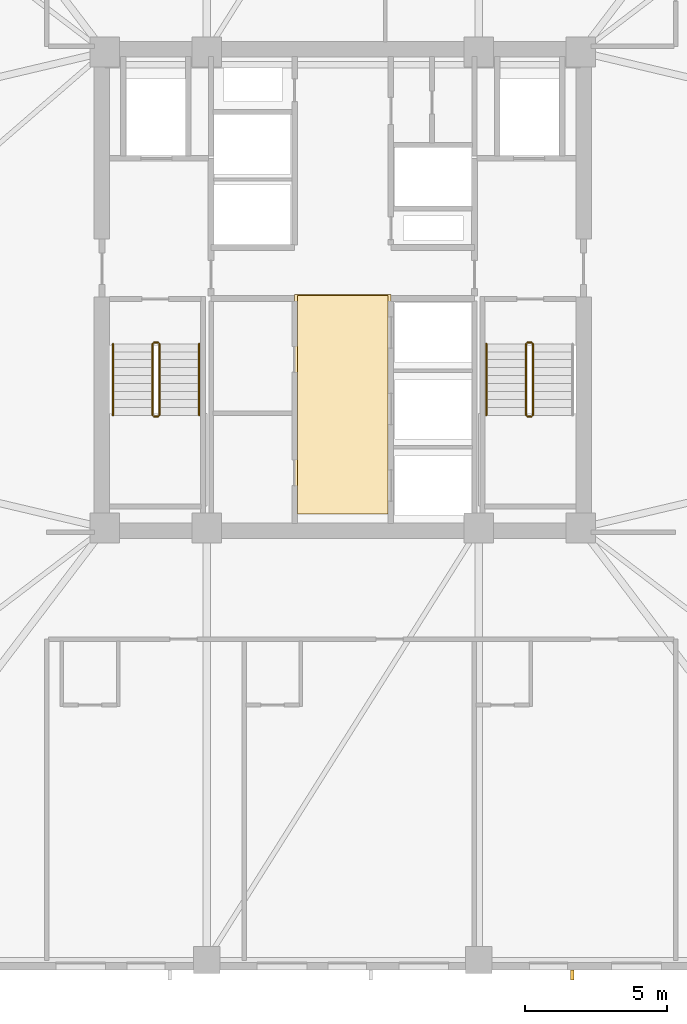
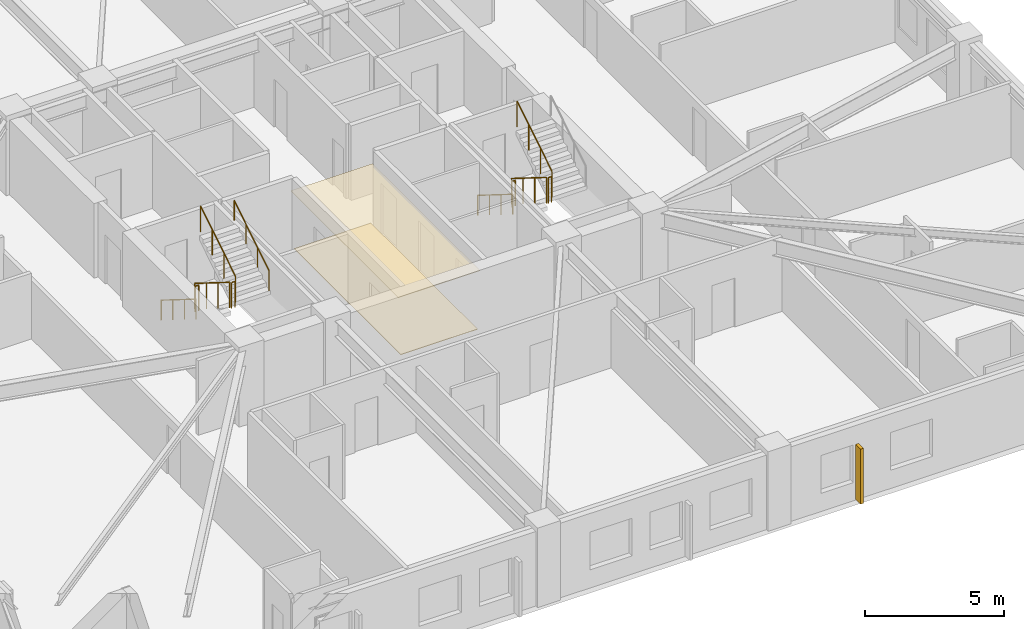
# One storey, part 8 of 11: 11 railings, 2 coverings, 1 shading device.
"""IFC4 building model written with IfcOpenShell, lengths in metres."""

import ifcopenshell
import ifcopenshell.guid

model = None  # the IFC model being written
_history = None  # IfcOwnerHistory: only IFC2X3 demands one
_inside = {}  # id of a spatial element -> (the spatial element, [elements in it])
_under = {}  # id of a project, library or spatial element -> (it, [spatial elements below it])
_declared = {}  # id of a project -> (the project, [libraries it declares])
_typed = {}  # id of a type object -> (the type object, [elements of that type])
_made_of = {}  # id of a material, layer set ... -> (it, [elements and type objects made of it])


def new_model(schema):
    """Start an empty IFC model of exactly this schema.

    Asked for "IFC4X3", IfcOpenShell would pick the latest addendum, in which some entities
    have other attributes; the version numbers below select the first issue.
    IFC2X3 requires an IfcOwnerHistory on every rooted entity: one is made here for all.
    """
    global model, _history
    if schema == "IFC4X3":
        model = ifcopenshell.file(schema_version=(4, 3, 0, 0))
    else:
        model = ifcopenshell.file(schema=schema)
    _inside.clear()
    _under.clear()
    _declared.clear()
    _typed.clear()
    _made_of.clear()
    _history = None
    if model.schema == "IFC2X3":
        org = make("IfcOrganization", Name="unknown")
        user = make(
            "IfcPersonAndOrganization",
            ThePerson=make("IfcPerson", FamilyName="unknown"),
            TheOrganization=org,
        )
        app = make(
            "IfcApplication",
            ApplicationDeveloper=org,
            Version="unknown",
            ApplicationFullName="unknown",
            ApplicationIdentifier="unknown",
        )
        _history = make(
            "IfcOwnerHistory",
            OwningUser=user,
            OwningApplication=app,
            ChangeAction="ADDED",
            CreationDate=0,
        )
    return model


def make(cls, **values):
    """One entity of the class cls with the attributes given. An attribute that is None is left unset."""
    return model.create_entity(
        cls, **{name: value for name, value in values.items() if value is not None}
    )


def rooted(cls, **values):
    """An entity with a GlobalId (a new one), such as an element, a storey or a relation."""
    return make(cls, GlobalId=ifcopenshell.guid.new(), OwnerHistory=_history, **values)


def si_unit(unit_type, name, prefix=None):
    """IfcSIUnit, for example si_unit("LENGTHUNIT", "METRE", prefix="MILLI")."""
    return make("IfcSIUnit", UnitType=unit_type, Prefix=prefix, Name=name)


def assignment(units):
    """IfcUnitAssignment: the units of a project."""
    return None if units is None else make("IfcUnitAssignment", Units=units)


def point(xyz):
    """IfcCartesianPoint."""
    return None if xyz is None else make("IfcCartesianPoint", Coordinates=xyz)


def direction(xyz):
    """IfcDirection."""
    return None if xyz is None else make("IfcDirection", DirectionRatios=xyz)


def frame(location, z_axis=None, x_axis=None):
    """IfcAxis2Placement3D, a coordinate frame: its origin and axes. An axis left out is left unset."""
    return make(
        "IfcAxis2Placement3D",
        Location=point(location),
        Axis=direction(z_axis),
        RefDirection=direction(x_axis),
    )


def frame_2d(location, x_axis=None):
    """IfcAxis2Placement2D, a coordinate frame in the plane: its origin and x axis."""
    return make(
        "IfcAxis2Placement2D", Location=point(location), RefDirection=direction(x_axis)
    )


def origin():
    """The frame at (0, 0, 0) with its axes left unset."""
    return frame((0.0, 0.0, 0.0))


def origin_2d():
    """The frame at (0, 0) in the plane with its x axis left unset."""
    return frame_2d((0.0, 0.0))


def place(relative_to, where):
    """IfcLocalPlacement: puts the frame where relative to a parent placement (None: the world)."""
    return make(
        "IfcLocalPlacement", PlacementRelTo=relative_to, RelativePlacement=where
    )


def context(
    kind, dimensions, precision=None, world=None, true_north=None, identifier=None
):
    """IfcGeometricRepresentationContext, for example the 3D "Model" context."""
    return make(
        "IfcGeometricRepresentationContext",
        ContextIdentifier=identifier,
        ContextType=kind,
        CoordinateSpaceDimension=dimensions,
        Precision=precision,
        WorldCoordinateSystem=world,
        TrueNorth=true_north,
    )


def subcontext(parent, identifier, kind, view, scale=None):
    """IfcGeometricRepresentationSubContext, for example "Body" below "Model"."""
    return make(
        "IfcGeometricRepresentationSubContext",
        ContextIdentifier=identifier,
        ContextType=kind,
        ParentContext=parent,
        TargetScale=scale,
        TargetView=view,
    )


def project(units=None, contexts=None):
    """IfcProject with its units and contexts."""
    return rooted(
        "IfcProject",
        Name="project",
        RepresentationContexts=contexts,
        UnitsInContext=assignment(units),
    )


def spatial(cls, under=None, at=None, **own):
    """A site, building, storey or space (cls), placed at a placement, below another one or the project."""
    s = rooted(cls, ObjectPlacement=at, **own)
    if under is not None:
        _under.setdefault(under.id(), (under, []))[1].append(s)
    return s


def polyline(points):
    """IfcPolyline through the points."""
    return make("IfcPolyline", Points=[point(p) for p in points])


def profile(cls, at=None, kind="AREA", **sizes):
    """A parametric profile (cls). Its sizes go by their IFC names, for example OverallWidth=200.0."""
    return make(cls, ProfileType=kind, Position=at, **sizes)


def rectangle(**sizes):
    """IfcRectangleProfileDef."""
    return profile("IfcRectangleProfileDef", **sizes)


def circle(**sizes):
    """IfcCircleProfileDef."""
    return profile("IfcCircleProfileDef", **sizes)


def outline(outer, holes=None, kind="AREA"):
    """IfcArbitraryClosedProfileDef: a profile drawn as a closed curve; with holes, ...WithVoids."""
    if holes is None:
        return make("IfcArbitraryClosedProfileDef", ProfileType=kind, OuterCurve=outer)
    return make(
        "IfcArbitraryProfileDefWithVoids",
        ProfileType=kind,
        OuterCurve=outer,
        InnerCurves=holes,
    )


def extrude(swept, where, along, depth):
    """IfcExtrudedAreaSolid: the profile swept, set in the frame where, extruded along a direction by depth."""
    return make(
        "IfcExtrudedAreaSolid",
        SweptArea=swept,
        Position=where,
        ExtrudedDirection=direction(along),
        Depth=depth,
    )


def shape(context_of_items, identifier, shape_type, items):
    """IfcShapeRepresentation: the items that make up one representation, for example the "Body"."""
    return make(
        "IfcShapeRepresentation",
        ContextOfItems=context_of_items,
        RepresentationIdentifier=identifier,
        RepresentationType=shape_type,
        Items=items,
    )


def material(Name=None, Category=None):
    """IfcMaterial."""
    return make("IfcMaterial", Name=Name, Category=Category)


def layer(
    of_material, thickness, ventilated=None, Name=None, Category=None, Priority=None
):
    """IfcMaterialLayer: one layer of a wall or slab, of a material (None: an air gap)."""
    return make(
        "IfcMaterialLayer",
        Material=of_material,
        LayerThickness=thickness,
        IsVentilated=ventilated,
        Name=Name,
        Category=Category,
        Priority=Priority,
    )


def layer_set(layers, Name=None):
    """IfcMaterialLayerSet."""
    return make("IfcMaterialLayerSet", MaterialLayers=layers, LayerSetName=Name)


def made_of(thing, what):
    """Note that an element or type object is made of a material, layer set ...; save() writes the relation."""
    if what is not None:
        _made_of.setdefault(what.id(), (what, []))[1].append(thing)
    return thing


def type_object(cls, material=None, **own):
    """A type object (cls), such as IfcWallType, which elements share."""
    return made_of(rooted(cls, **own), material)


def element(
    cls,
    number,
    at=None,
    inside=None,
    cuts=None,
    type_object=None,
    material=None,
    context=None,
    identifier="Body",
    shape_type=None,
    held_by="IfcProductDefinitionShape",
    body=None,
    shapes=None,
    **own,
):
    """One element of the class cls, such as IfcWall. Its Tag is "e" and its number.

    at: its placement. inside: the storey or other place that contains it. cuts: it is an
    opening in that element (IfcRelVoidsElement). A single representation is given by context,
    identifier, shape_type and body (its items); several are given by shapes. held_by: the class
    of the entity that holds the representations. save() writes the other relations.
    """
    e = rooted(cls, Tag="e%d" % number, ObjectPlacement=at, **own)
    if body is not None:
        shapes = [shape(context, identifier, shape_type, body)]
    if shapes is not None:
        e.Representation = make(held_by, Representations=shapes)
    if inside is not None:
        _inside.setdefault(inside.id(), (inside, []))[1].append(e)
    if cuts is not None:
        rooted(
            "IfcRelVoidsElement", RelatingBuildingElement=cuts, RelatedOpeningElement=e
        )
    if type_object is not None:
        _typed.setdefault(type_object.id(), (type_object, []))[1].append(e)
    return made_of(e, material)


def aggregate(whole, parts):
    """IfcRelAggregates: a whole, such as a stair, and the parts it consists of."""
    return rooted("IfcRelAggregates", RelatingObject=whole, RelatedObjects=parts)


def save(model, path):
    """Write the relations noted so far, then the file.

    IfcRelAggregates (storeys below a building ...), IfcRelContainedInSpatialStructure (elements
    in a storey), IfcRelDefinesByType, IfcRelAssociatesMaterial and IfcRelDeclares: one each for
    every whole, place, type object, material and project.
    """
    for whole, parts in _under.values():
        aggregate(whole, parts)
    for where, things in _inside.values():
        rooted(
            "IfcRelContainedInSpatialStructure",
            RelatedElements=things,
            RelatingStructure=where,
        )
    for kind, things in _typed.values():
        rooted("IfcRelDefinesByType", RelatedObjects=things, RelatingType=kind)
    for what, things in _made_of.values():
        rooted("IfcRelAssociatesMaterial", RelatedObjects=things, RelatingMaterial=what)
    for by, libraries in _declared.values():
        rooted("IfcRelDeclares", RelatingContext=by, RelatedDefinitions=libraries)
    model.write(path)


model = new_model("IFC4")

# Units and contexts
model_context = context("Model", 3, precision=1e-05, world=origin(), true_north=direction((0.0, 1.0)))
body_context = subcontext(model_context, "Body", "Model", "MODEL_VIEW")
ifc_project = project(units=[si_unit("LENGTHUNIT", "METRE"), si_unit("AREAUNIT", "SQUARE_METRE"), si_unit("VOLUMEUNIT", "CUBIC_METRE"), si_unit("PLANEANGLEUNIT", "RADIAN"), si_unit("MASSUNIT", "GRAM", prefix="KILO")], contexts=[model_context])

# Site, building, storey
site_placement = place(None, origin())
site = spatial("IfcSite", under=ifc_project, at=site_placement, CompositionType="ELEMENT")
building_placement = place(site_placement, origin())
building = spatial("IfcBuilding", under=site, at=building_placement, Name="Cairnveth Concourse Tower", CompositionType="ELEMENT")
storey_placement = place(building_placement, frame((0.0, 0.0, 127.0)))
storey = spatial("IfcBuildingStorey", under=building, at=storey_placement, Name="L34", CompositionType="ELEMENT", Elevation=127.0)

# Covering
ifc_material_1 = material(Name="Acoustic Mineral Fibre Ceiling", Category="gypsum")
ifc_layer_1 = layer(ifc_material_1, 0.02490234375)
ifc_layer_set_1 = layer_set([ifc_layer_1], Name="Acoustic Mineral Fibre Ceiling")
covering_type_1 = type_object("IfcCoveringType", Name="ACOUSTIC MINERAL FIBRE CEILING 25", PredefinedType="CEILING", material=ifc_layer_set_1)
covering_1_placement = place(storey_placement, frame((0.0, 0.0, 2.5400390625)))
element("IfcCovering", 1, at=covering_1_placement, inside=storey, type_object=covering_type_1, Name="Lift Lobby Acoustic Ceiling L34", PredefinedType="CEILING", context=body_context, shape_type="SweptSolid", body=[
    extrude(outline(polyline([(50.300048828125, 31.10009765625), (53.699951171875, 31.10009765625), (53.699951171875, 38.85009765625), (50.300048828125, 38.85009765625), (50.300048828125, 31.10009765625)])), origin(), (0.0, 0.0, 1.0), 0.02490234375),
])

# Shading device
ifc_material_2 = material(Name="Architectural Bronze Anodised Aluminium 6063-T6", Category="aluminium")
shading_device_type = type_object("IfcShadingDeviceType", Name="GOTHIC BRONZE VERTICAL LANCET FIN", PredefinedType="USERDEFINED", material=ifc_material_2)
shading_device_placement = place(storey_placement, frame((60.10107421875, 14.824951171875, 0.030029296875), z_axis=(0.0, 0.0, 1.0), x_axis=(1.0, 0.0, 0.0)))
element("IfcShadingDevice", 2, at=shading_device_placement, inside=storey, type_object=shading_device_type, Name="Gothic Bronze Vertical Fin L34-9-3", ObjectType="VERTICAL FIN", PredefinedType="USERDEFINED", context=body_context, shape_type="SweptSolid", body=[
    extrude(rectangle(XDim=0.1201171875, YDim=0.360107421875, at=origin_2d()), origin(), (0.0, 0.0, 1.0), 2.419921875),
])

# Railings
ifc_material_3 = material(Name="Steel Grade 350", Category="steel")
railing_type_1 = type_object("IfcRailingType", Name="STAIR GUARDRAIL 1150", PredefinedType="GUARDRAIL", material=ifc_material_3)
railing_1_placement = place(storey_placement, frame((45.2900390625, 37.10009765625, 0.175048828125)))
element("IfcRailing", 3, at=railing_1_placement, inside=storey, type_object=railing_type_1, Name="L34 ST-1 stair guard 1", PredefinedType="GUARDRAIL", context=body_context, shape_type="SweptSolid", body=[
    extrude(circle(Radius=0.02392578125, at=origin_2d()), frame((0.0, 0.0, 1.1259765625), z_axis=(0.0, -0.848007534815, 0.529984170421), x_axis=(1.0, 0.0, 0.0)), (0.0, 0.0, 1.0), 2.9716796875),
    extrude(circle(Radius=0.02099609375, at=origin_2d()), origin(), (0.0, 0.0, 1.0), 1.101806640625),
    extrude(circle(Radius=0.02099609375, at=origin_2d()), frame((0.0, -0.840087890625, 0.52490234375)), (0.0, 0.0, 1.0), 1.101806640625),
    extrude(circle(Radius=0.02099609375, at=origin_2d()), frame((0.0, -1.679931640625, 1.050048828125)), (0.0, 0.0, 1.0), 1.101806640625),
    extrude(circle(Radius=0.02099609375, at=origin_2d()), frame((0.0, -2.52001953125, 1.574951171875)), (0.0, 0.0, 1.0), 1.101806640625),
])
railing_2_placement = place(storey_placement, frame((45.340087890625, 34.530029296875, 1.75)))
element("IfcRailing", 4, at=railing_2_placement, inside=storey, type_object=railing_type_1, Name="L34 ST-1 stair guard 2", PredefinedType="GUARDRAIL", context=body_context, shape_type="SweptSolid", body=[
    extrude(circle(Radius=0.02392578125, at=origin_2d()), frame((0.0, 0.0, 1.1259765625), z_axis=(1.0, 0.0, 0.0), x_axis=(0.0, 1.0, 0.0)), (0.0, 0.0, 1.0), 0.139892578125),
    extrude(circle(Radius=0.02099609375, at=origin_2d()), origin(), (0.0, 0.0, 1.0), 1.101806640625),
    extrude(circle(Radius=0.02099609375, at=origin_2d()), frame((0.139892578125, 0.0, 0.0)), (0.0, 0.0, 1.0), 1.101806640625),
])
railing_3_placement = place(storey_placement, frame((45.530029296875, 34.580078125, 1.925048828125)))
element("IfcRailing", 5, at=railing_3_placement, inside=storey, type_object=railing_type_1, Name="L34 ST-1 stair guard 3", PredefinedType="GUARDRAIL", context=body_context, shape_type="SweptSolid", body=[
    extrude(circle(Radius=0.02392578125, at=origin_2d()), frame((0.0, 0.0, 1.1259765625), z_axis=(0.0, 0.848007534815, 0.529984170421), x_axis=(-1.0, 0.0, 0.0)), (0.0, 0.0, 1.0), 2.9716796875),
    extrude(circle(Radius=0.02099609375, at=origin_2d()), origin(), (0.0, 0.0, 1.0), 1.101806640625),
    extrude(circle(Radius=0.02099609375, at=origin_2d()), frame((0.0, 0.840087890625, 0.52490234375)), (0.0, 0.0, 1.0), 1.101806640625),
    extrude(circle(Radius=0.02099609375, at=origin_2d()), frame((0.0, 1.679931640625, 1.050048828125)), (0.0, 0.0, 1.0), 1.101806640625),
    extrude(circle(Radius=0.02099609375, at=origin_2d()), frame((0.0, 2.52001953125, 1.574951171875)), (0.0, 0.0, 1.0), 1.101806640625),
])
railing_4_placement = place(storey_placement, frame((45.340087890625, 37.14990234375, 0.0)))
element("IfcRailing", 6, at=railing_4_placement, inside=storey, type_object=railing_type_1, Name="L34 ST-1 stair guard 4", PredefinedType="GUARDRAIL", context=body_context, shape_type="SweptSolid", body=[
    extrude(circle(Radius=0.02392578125, at=origin_2d()), frame((0.0, 0.0, 1.1259765625), z_axis=(1.0, 0.0, 0.0), x_axis=(0.0, 1.0, 0.0)), (0.0, 0.0, 1.0), 0.139892578125),
    extrude(circle(Radius=0.02099609375, at=origin_2d()), origin(), (0.0, 0.0, 1.0), 1.101806640625),
    extrude(circle(Radius=0.02099609375, at=origin_2d()), frame((0.139892578125, 0.0, 0.0)), (0.0, 0.0, 1.0), 1.101806640625),
])
railing_5_placement = place(storey_placement, frame((58.469970703125, 37.10009765625, 0.175048828125)))
element("IfcRailing", 7, at=railing_5_placement, inside=storey, type_object=railing_type_1, Name="L34 ST-2 stair guard 1", PredefinedType="GUARDRAIL", context=body_context, shape_type="SweptSolid", body=[
    extrude(circle(Radius=0.02392578125, at=origin_2d()), frame((0.0, 0.0, 1.1259765625), z_axis=(0.0, -0.848007534815, 0.529984170421), x_axis=(1.0, 0.0, 0.0)), (0.0, 0.0, 1.0), 2.9716796875),
    extrude(circle(Radius=0.02099609375, at=origin_2d()), origin(), (0.0, 0.0, 1.0), 1.101806640625),
    extrude(circle(Radius=0.02099609375, at=origin_2d()), frame((0.0, -0.840087890625, 0.52490234375)), (0.0, 0.0, 1.0), 1.101806640625),
    extrude(circle(Radius=0.02099609375, at=origin_2d()), frame((0.0, -1.679931640625, 1.050048828125)), (0.0, 0.0, 1.0), 1.101806640625),
    extrude(circle(Radius=0.02099609375, at=origin_2d()), frame((0.0, -2.52001953125, 1.574951171875)), (0.0, 0.0, 1.0), 1.101806640625),
])
railing_6_placement = place(storey_placement, frame((58.52001953125, 34.530029296875, 1.75)))
element("IfcRailing", 8, at=railing_6_placement, inside=storey, type_object=railing_type_1, Name="L34 ST-2 stair guard 2", PredefinedType="GUARDRAIL", context=body_context, shape_type="SweptSolid", body=[
    extrude(circle(Radius=0.02392578125, at=origin_2d()), frame((0.0, 0.0, 1.1259765625), z_axis=(1.0, 0.0, 0.0), x_axis=(0.0, 1.0, 0.0)), (0.0, 0.0, 1.0), 0.139892578125),
    extrude(circle(Radius=0.02099609375, at=origin_2d()), origin(), (0.0, 0.0, 1.0), 1.101806640625),
    extrude(circle(Radius=0.02099609375, at=origin_2d()), frame((0.139892578125, 0.0, 0.0)), (0.0, 0.0, 1.0), 1.101806640625),
])
railing_7_placement = place(storey_placement, frame((58.7099609375, 34.580078125, 1.925048828125)))
element("IfcRailing", 9, at=railing_7_placement, inside=storey, type_object=railing_type_1, Name="L34 ST-2 stair guard 3", PredefinedType="GUARDRAIL", context=body_context, shape_type="SweptSolid", body=[
    extrude(circle(Radius=0.02392578125, at=origin_2d()), frame((0.0, 0.0, 1.1259765625), z_axis=(0.0, 0.848007534815, 0.529984170421), x_axis=(-1.0, 0.0, 0.0)), (0.0, 0.0, 1.0), 2.9716796875),
    extrude(circle(Radius=0.02099609375, at=origin_2d()), origin(), (0.0, 0.0, 1.0), 1.101806640625),
    extrude(circle(Radius=0.02099609375, at=origin_2d()), frame((0.0, 0.840087890625, 0.52490234375)), (0.0, 0.0, 1.0), 1.101806640625),
    extrude(circle(Radius=0.02099609375, at=origin_2d()), frame((0.0, 1.679931640625, 1.050048828125)), (0.0, 0.0, 1.0), 1.101806640625),
    extrude(circle(Radius=0.02099609375, at=origin_2d()), frame((0.0, 2.52001953125, 1.574951171875)), (0.0, 0.0, 1.0), 1.101806640625),
])
railing_8_placement = place(storey_placement, frame((58.52001953125, 37.14990234375, 0.0)))
element("IfcRailing", 10, at=railing_8_placement, inside=storey, type_object=railing_type_1, Name="L34 ST-2 stair guard 4", PredefinedType="GUARDRAIL", context=body_context, shape_type="SweptSolid", body=[
    extrude(circle(Radius=0.02392578125, at=origin_2d()), frame((0.0, 0.0, 1.1259765625), z_axis=(1.0, 0.0, 0.0), x_axis=(0.0, 1.0, 0.0)), (0.0, 0.0, 1.0), 0.139892578125),
    extrude(circle(Radius=0.02099609375, at=origin_2d()), origin(), (0.0, 0.0, 1.0), 1.101806640625),
    extrude(circle(Radius=0.02099609375, at=origin_2d()), frame((0.139892578125, 0.0, 0.0)), (0.0, 0.0, 1.0), 1.101806640625),
])
railing_type_2 = type_object("IfcRailingType", Name="STAIR WALL HANDRAIL 900", PredefinedType="HANDRAIL", material=ifc_material_3)
railing_9_placement = place(storey_placement, frame((43.889892578125, 37.10009765625, 0.175048828125)))
element("IfcRailing", 11, at=railing_9_placement, inside=storey, type_object=railing_type_2, Name="L34 ST-1 stair handrail 1", PredefinedType="HANDRAIL", context=body_context, shape_type="SweptSolid", body=[
    extrude(circle(Radius=0.02392578125, at=origin_2d()), frame((0.0, 0.0, 0.8759765625), z_axis=(0.0, -0.848007534815, 0.529984170421), x_axis=(1.0, 0.0, 0.0)), (0.0, 0.0, 1.0), 2.9716796875),
    extrude(circle(Radius=0.02099609375, at=origin_2d()), origin(), (0.0, 0.0, 1.0), 0.851806640625),
    extrude(circle(Radius=0.02099609375, at=origin_2d()), frame((0.0, -0.840087890625, 0.52490234375)), (0.0, 0.0, 1.0), 0.851806640625),
    extrude(circle(Radius=0.02099609375, at=origin_2d()), frame((0.0, -1.679931640625, 1.050048828125)), (0.0, 0.0, 1.0), 0.851806640625),
    extrude(circle(Radius=0.02099609375, at=origin_2d()), frame((0.0, -2.52001953125, 1.574951171875)), (0.0, 0.0, 1.0), 0.851806640625),
])
railing_10_placement = place(storey_placement, frame((46.929931640625, 34.580078125, 1.925048828125)))
element("IfcRailing", 12, at=railing_10_placement, inside=storey, type_object=railing_type_2, Name="L34 ST-1 stair handrail 2", PredefinedType="HANDRAIL", context=body_context, shape_type="SweptSolid", body=[
    extrude(circle(Radius=0.02392578125, at=origin_2d()), frame((0.0, 0.0, 0.8759765625), z_axis=(0.0, 0.848007534815, 0.529984170421), x_axis=(-1.0, 0.0, 0.0)), (0.0, 0.0, 1.0), 2.9716796875),
    extrude(circle(Radius=0.02099609375, at=origin_2d()), origin(), (0.0, 0.0, 1.0), 0.851806640625),
    extrude(circle(Radius=0.02099609375, at=origin_2d()), frame((0.0, 0.840087890625, 0.52490234375)), (0.0, 0.0, 1.0), 0.851806640625),
    extrude(circle(Radius=0.02099609375, at=origin_2d()), frame((0.0, 1.679931640625, 1.050048828125)), (0.0, 0.0, 1.0), 0.851806640625),
    extrude(circle(Radius=0.02099609375, at=origin_2d()), frame((0.0, 2.52001953125, 1.574951171875)), (0.0, 0.0, 1.0), 0.851806640625),
])
railing_11_placement = place(storey_placement, frame((57.070068359375, 37.10009765625, 0.175048828125)))
element("IfcRailing", 13, at=railing_11_placement, inside=storey, type_object=railing_type_2, Name="L34 ST-2 stair handrail 1", PredefinedType="HANDRAIL", context=body_context, shape_type="SweptSolid", body=[
    extrude(circle(Radius=0.02392578125, at=origin_2d()), frame((0.0, 0.0, 0.8759765625), z_axis=(0.0, -0.848007534815, 0.529984170421), x_axis=(1.0, 0.0, 0.0)), (0.0, 0.0, 1.0), 2.9716796875),
    extrude(circle(Radius=0.02099609375, at=origin_2d()), origin(), (0.0, 0.0, 1.0), 0.851806640625),
    extrude(circle(Radius=0.02099609375, at=origin_2d()), frame((0.0, -0.840087890625, 0.52490234375)), (0.0, 0.0, 1.0), 0.851806640625),
    extrude(circle(Radius=0.02099609375, at=origin_2d()), frame((0.0, -1.679931640625, 1.050048828125)), (0.0, 0.0, 1.0), 0.851806640625),
    extrude(circle(Radius=0.02099609375, at=origin_2d()), frame((0.0, -2.52001953125, 1.574951171875)), (0.0, 0.0, 1.0), 0.851806640625),
])

# Covering
ifc_material_4 = material(Name="Vitrified Stoneware Tile Flooring", Category="masonry")
ifc_layer_2 = layer(ifc_material_4, 0.02001953125)
ifc_layer_set_2 = layer_set([ifc_layer_2], Name="Vitrified Stoneware Tile Flooring")
covering_type_2 = type_object("IfcCoveringType", Name="VITRIFIED STONEWARE LOBBY FLOORING 20", PredefinedType="FLOORING", material=ifc_layer_set_2)
covering_2_placement = place(storey_placement, origin())
element("IfcCovering", 14, at=covering_2_placement, inside=storey, type_object=covering_type_2, Name="Lift Lobby Stoneware Flooring L34", PredefinedType="FLOORING", context=body_context, shape_type="SweptSolid", body=[
    extrude(outline(polyline([(50.39990234375, 31.10009765625), (53.60009765625, 31.10009765625), (53.60009765625, 38.800048828125), (50.39990234375, 38.800048828125), (50.39990234375, 31.10009765625)])), origin(), (0.0, 0.0, 1.0), 0.02001953125),
])

save(model, "model.ifc")
